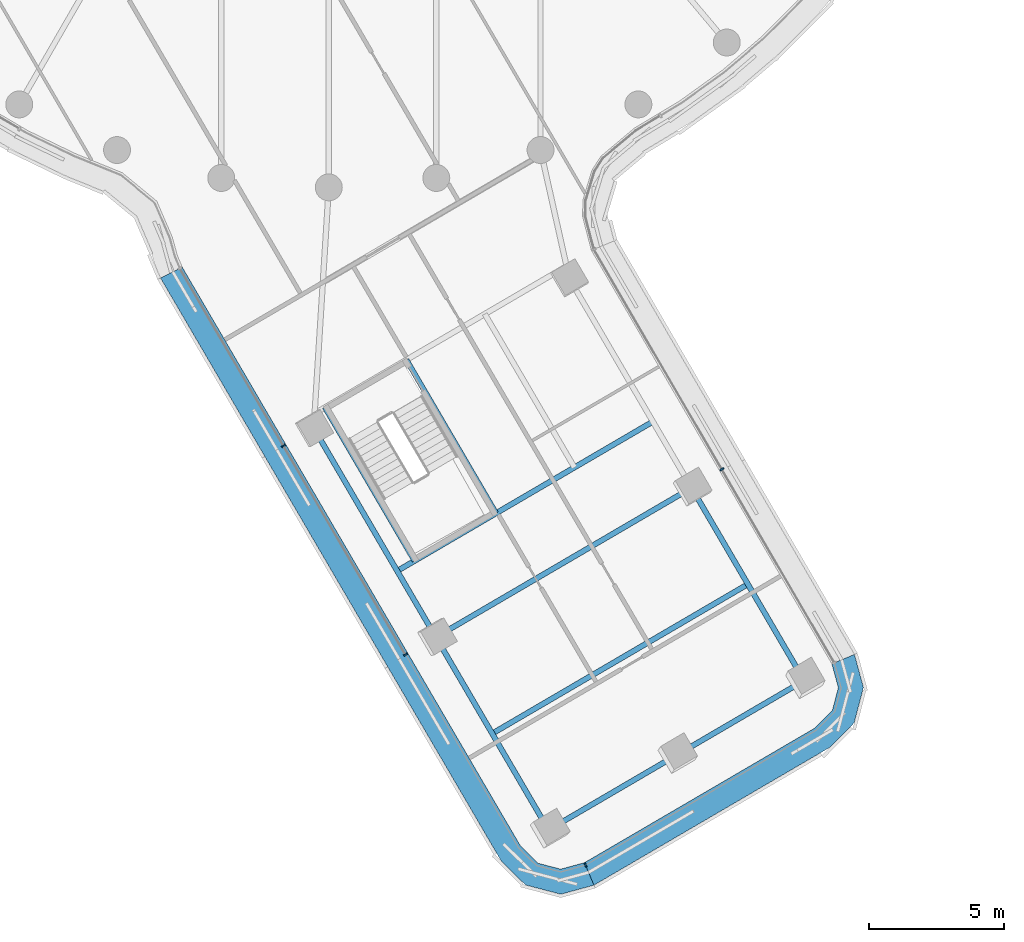
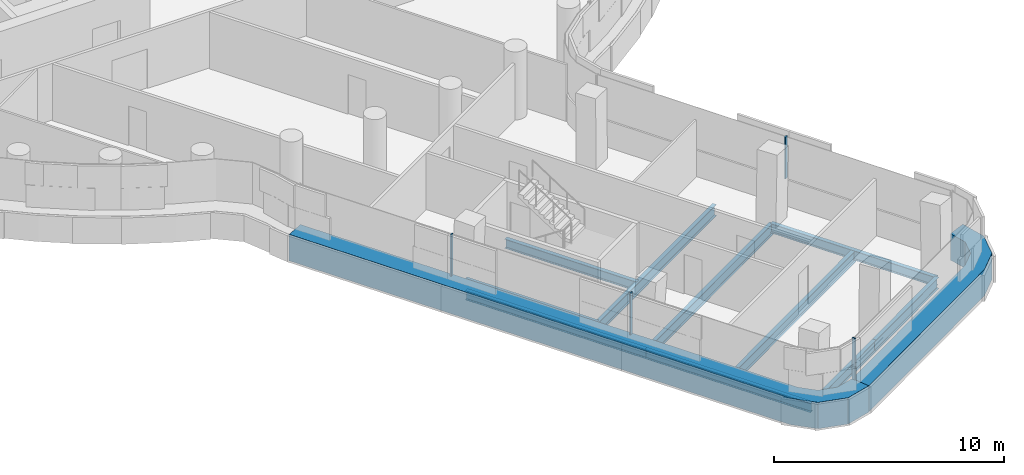
# One storey, part 3 of 35: 10 beams, 6 members, 3 elements without a shape of their own.
"""IFC4 building model written with IfcOpenShell, lengths in metres."""

import ifcopenshell
import ifcopenshell.guid

model = None  # the IFC model being written
_history = None  # IfcOwnerHistory: only IFC2X3 demands one
_inside = {}  # id of a spatial element -> (the spatial element, [elements in it])
_under = {}  # id of a project, library or spatial element -> (it, [spatial elements below it])
_declared = {}  # id of a project -> (the project, [libraries it declares])
_typed = {}  # id of a type object -> (the type object, [elements of that type])
_made_of = {}  # id of a material, layer set ... -> (it, [elements and type objects made of it])


def new_model(schema):
    """Start an empty IFC model of exactly this schema.

    Asked for "IFC4X3", IfcOpenShell would pick the latest addendum, in which some entities
    have other attributes; the version numbers below select the first issue.
    IFC2X3 requires an IfcOwnerHistory on every rooted entity: one is made here for all.
    """
    global model, _history
    if schema == "IFC4X3":
        model = ifcopenshell.file(schema_version=(4, 3, 0, 0))
    else:
        model = ifcopenshell.file(schema=schema)
    _inside.clear()
    _under.clear()
    _declared.clear()
    _typed.clear()
    _made_of.clear()
    _history = None
    if model.schema == "IFC2X3":
        org = make("IfcOrganization", Name="unknown")
        user = make(
            "IfcPersonAndOrganization",
            ThePerson=make("IfcPerson", FamilyName="unknown"),
            TheOrganization=org,
        )
        app = make(
            "IfcApplication",
            ApplicationDeveloper=org,
            Version="unknown",
            ApplicationFullName="unknown",
            ApplicationIdentifier="unknown",
        )
        _history = make(
            "IfcOwnerHistory",
            OwningUser=user,
            OwningApplication=app,
            ChangeAction="ADDED",
            CreationDate=0,
        )
    return model


def make(cls, **values):
    """One entity of the class cls with the attributes given. An attribute that is None is left unset."""
    return model.create_entity(
        cls, **{name: value for name, value in values.items() if value is not None}
    )


def rooted(cls, **values):
    """An entity with a GlobalId (a new one), such as an element, a storey or a relation."""
    return make(cls, GlobalId=ifcopenshell.guid.new(), OwnerHistory=_history, **values)


def si_unit(unit_type, name, prefix=None):
    """IfcSIUnit, for example si_unit("LENGTHUNIT", "METRE", prefix="MILLI")."""
    return make("IfcSIUnit", UnitType=unit_type, Prefix=prefix, Name=name)


def assignment(units):
    """IfcUnitAssignment: the units of a project."""
    return None if units is None else make("IfcUnitAssignment", Units=units)


def point(xyz):
    """IfcCartesianPoint."""
    return None if xyz is None else make("IfcCartesianPoint", Coordinates=xyz)


def direction(xyz):
    """IfcDirection."""
    return None if xyz is None else make("IfcDirection", DirectionRatios=xyz)


def frame(location, z_axis=None, x_axis=None):
    """IfcAxis2Placement3D, a coordinate frame: its origin and axes. An axis left out is left unset."""
    return make(
        "IfcAxis2Placement3D",
        Location=point(location),
        Axis=direction(z_axis),
        RefDirection=direction(x_axis),
    )


def frame_2d(location, x_axis=None):
    """IfcAxis2Placement2D, a coordinate frame in the plane: its origin and x axis."""
    return make(
        "IfcAxis2Placement2D", Location=point(location), RefDirection=direction(x_axis)
    )


def origin():
    """The frame at (0, 0, 0) with its axes left unset."""
    return frame((0.0, 0.0, 0.0))


def origin_2d():
    """The frame at (0, 0) in the plane with its x axis left unset."""
    return frame_2d((0.0, 0.0))


def place(relative_to, where):
    """IfcLocalPlacement: puts the frame where relative to a parent placement (None: the world)."""
    return make(
        "IfcLocalPlacement", PlacementRelTo=relative_to, RelativePlacement=where
    )


def context(
    kind, dimensions, precision=None, world=None, true_north=None, identifier=None
):
    """IfcGeometricRepresentationContext, for example the 3D "Model" context."""
    return make(
        "IfcGeometricRepresentationContext",
        ContextIdentifier=identifier,
        ContextType=kind,
        CoordinateSpaceDimension=dimensions,
        Precision=precision,
        WorldCoordinateSystem=world,
        TrueNorth=true_north,
    )


def subcontext(parent, identifier, kind, view, scale=None):
    """IfcGeometricRepresentationSubContext, for example "Body" below "Model"."""
    return make(
        "IfcGeometricRepresentationSubContext",
        ContextIdentifier=identifier,
        ContextType=kind,
        ParentContext=parent,
        TargetScale=scale,
        TargetView=view,
    )


def project(units=None, contexts=None):
    """IfcProject with its units and contexts."""
    return rooted(
        "IfcProject",
        Name="project",
        RepresentationContexts=contexts,
        UnitsInContext=assignment(units),
    )


def spatial(cls, under=None, at=None, **own):
    """A site, building, storey or space (cls), placed at a placement, below another one or the project."""
    s = rooted(cls, ObjectPlacement=at, **own)
    if under is not None:
        _under.setdefault(under.id(), (under, []))[1].append(s)
    return s


def polyline(points):
    """IfcPolyline through the points."""
    return make("IfcPolyline", Points=[point(p) for p in points])


def profile(cls, at=None, kind="AREA", **sizes):
    """A parametric profile (cls). Its sizes go by their IFC names, for example OverallWidth=200.0."""
    return make(cls, ProfileType=kind, Position=at, **sizes)


def rectangle(**sizes):
    """IfcRectangleProfileDef."""
    return profile("IfcRectangleProfileDef", **sizes)


def i_section(**sizes):
    """IfcIShapeProfileDef."""
    return profile("IfcIShapeProfileDef", **sizes)


def outline(outer, holes=None, kind="AREA"):
    """IfcArbitraryClosedProfileDef: a profile drawn as a closed curve; with holes, ...WithVoids."""
    if holes is None:
        return make("IfcArbitraryClosedProfileDef", ProfileType=kind, OuterCurve=outer)
    return make(
        "IfcArbitraryProfileDefWithVoids",
        ProfileType=kind,
        OuterCurve=outer,
        InnerCurves=holes,
    )


def extrude(swept, where, along, depth):
    """IfcExtrudedAreaSolid: the profile swept, set in the frame where, extruded along a direction by depth."""
    return make(
        "IfcExtrudedAreaSolid",
        SweptArea=swept,
        Position=where,
        ExtrudedDirection=direction(along),
        Depth=depth,
    )


def shape(context_of_items, identifier, shape_type, items):
    """IfcShapeRepresentation: the items that make up one representation, for example the "Body"."""
    return make(
        "IfcShapeRepresentation",
        ContextOfItems=context_of_items,
        RepresentationIdentifier=identifier,
        RepresentationType=shape_type,
        Items=items,
    )


def material(Name=None, Category=None):
    """IfcMaterial."""
    return make("IfcMaterial", Name=Name, Category=Category)


def layer(
    of_material, thickness, ventilated=None, Name=None, Category=None, Priority=None
):
    """IfcMaterialLayer: one layer of a wall or slab, of a material (None: an air gap)."""
    return make(
        "IfcMaterialLayer",
        Material=of_material,
        LayerThickness=thickness,
        IsVentilated=ventilated,
        Name=Name,
        Category=Category,
        Priority=Priority,
    )


def layer_set(layers, Name=None):
    """IfcMaterialLayerSet."""
    return make("IfcMaterialLayerSet", MaterialLayers=layers, LayerSetName=Name)


def material_profile(
    of_material, cross_section, Name=None, Category=None, Priority=None
):
    """IfcMaterialProfile: a cross section and its material."""
    return make(
        "IfcMaterialProfile",
        Name=Name,
        Material=of_material,
        Profile=cross_section,
        Priority=Priority,
        Category=Category,
    )


def profile_set(profiles, Name=None, composite=None):
    """IfcMaterialProfileSet."""
    return make(
        "IfcMaterialProfileSet",
        Name=Name,
        MaterialProfiles=profiles,
        CompositeProfile=composite,
    )


def made_of(thing, what):
    """Note that an element or type object is made of a material, layer set ...; save() writes the relation."""
    if what is not None:
        _made_of.setdefault(what.id(), (what, []))[1].append(thing)
    return thing


def type_object(cls, material=None, **own):
    """A type object (cls), such as IfcWallType, which elements share."""
    return made_of(rooted(cls, **own), material)


def element(
    cls,
    number,
    at=None,
    inside=None,
    cuts=None,
    type_object=None,
    material=None,
    context=None,
    identifier="Body",
    shape_type=None,
    held_by="IfcProductDefinitionShape",
    body=None,
    shapes=None,
    **own,
):
    """One element of the class cls, such as IfcWall. Its Tag is "e" and its number.

    at: its placement. inside: the storey or other place that contains it. cuts: it is an
    opening in that element (IfcRelVoidsElement). A single representation is given by context,
    identifier, shape_type and body (its items); several are given by shapes. held_by: the class
    of the entity that holds the representations. save() writes the other relations.
    """
    e = rooted(cls, Tag="e%d" % number, ObjectPlacement=at, **own)
    if body is not None:
        shapes = [shape(context, identifier, shape_type, body)]
    if shapes is not None:
        e.Representation = make(held_by, Representations=shapes)
    if inside is not None:
        _inside.setdefault(inside.id(), (inside, []))[1].append(e)
    if cuts is not None:
        rooted(
            "IfcRelVoidsElement", RelatingBuildingElement=cuts, RelatedOpeningElement=e
        )
    if type_object is not None:
        _typed.setdefault(type_object.id(), (type_object, []))[1].append(e)
    return made_of(e, material)


def aggregate(whole, parts):
    """IfcRelAggregates: a whole, such as a stair, and the parts it consists of."""
    return rooted("IfcRelAggregates", RelatingObject=whole, RelatedObjects=parts)


def save(model, path):
    """Write the relations noted so far, then the file.

    IfcRelAggregates (storeys below a building ...), IfcRelContainedInSpatialStructure (elements
    in a storey), IfcRelDefinesByType, IfcRelAssociatesMaterial and IfcRelDeclares: one each for
    every whole, place, type object, material and project.
    """
    for whole, parts in _under.values():
        aggregate(whole, parts)
    for where, things in _inside.values():
        rooted(
            "IfcRelContainedInSpatialStructure",
            RelatedElements=things,
            RelatingStructure=where,
        )
    for kind, things in _typed.values():
        rooted("IfcRelDefinesByType", RelatedObjects=things, RelatingType=kind)
    for what, things in _made_of.values():
        rooted("IfcRelAssociatesMaterial", RelatedObjects=things, RelatingMaterial=what)
    for by, libraries in _declared.values():
        rooted("IfcRelDeclares", RelatingContext=by, RelatedDefinitions=libraries)
    model.write(path)


model = new_model("IFC4")

# Units and contexts
model_context = context("Model", 3, precision=1e-05, world=origin(), true_north=direction((0.0, 1.0)))
body_context = subcontext(model_context, "Body", "Model", "MODEL_VIEW")
ifc_project = project(units=[si_unit("LENGTHUNIT", "METRE"), si_unit("AREAUNIT", "SQUARE_METRE"), si_unit("VOLUMEUNIT", "CUBIC_METRE"), si_unit("PLANEANGLEUNIT", "RADIAN"), si_unit("MASSUNIT", "GRAM", prefix="KILO")], contexts=[model_context])

# Site, building, storey
site_placement = place(None, origin())
site = spatial("IfcSite", under=ifc_project, at=site_placement, CompositionType="ELEMENT")
building_placement = place(site_placement, origin())
building = spatial("IfcBuilding", under=site, at=building_placement, Name="Tamarind Cross Interchange Tower", CompositionType="ELEMENT")
storey_placement = place(building_placement, frame((0.0, 0.0, 144.25)))
storey = spatial("IfcBuildingStorey", under=building, at=storey_placement, Name="L35", CompositionType="ELEMENT", Elevation=144.25)

# Beams
ifc_material_1 = material(Name="Steel Q355B", Category="steel")
ifc_material_profile_1 = material_profile(ifc_material_1, i_section(OverallWidth=0.198974609375, OverallDepth=0.49609375, WebThickness=0.009033203125, FlangeThickness=0.013916015625, FilletRadius=0.012939453125, at=origin_2d()), Name="HN 496x199x9x14")
ifc_profile_set_1 = profile_set([ifc_material_profile_1], Name="Steel Q355B")
beam_type_1 = type_object("IfcBeamType", Name="Composite beam HN 496x199x9x14 Q355B", PredefinedType="BEAM", material=ifc_profile_set_1)
beam_1_placement = place(storey_placement, frame((8.162841796875, -46.870849609375, -0.387939453125), z_axis=(-0.504515287222, 0.863402759411, 0.0), x_axis=(-0.863402759411, -0.504515287222, 0.0)))
element("IfcBeam", 1, at=beam_1_placement, inside=storey, type_object=beam_type_1, Name="Beam S-edgeem5", PredefinedType="BEAM", context=body_context, shape_type="SweptSolid", body=[
    extrude(i_section(OverallWidth=0.198974609375, OverallDepth=0.49609375, WebThickness=0.009033203125, FlangeThickness=0.013916015625, FilletRadius=0.012939453125, at=origin_2d()), origin(), (0.0, 0.0, 1.0), 8.291748046875),
])
beam_2_placement = place(storey_placement, frame((3.9794921875, -39.711669921875, -0.387939453125), z_axis=(-0.504532041864, 0.863392968893, 0.0), x_axis=(-0.863392968893, -0.504532041864, 0.0)))
element("IfcBeam", 2, at=beam_2_placement, inside=storey, type_object=beam_type_1, Name="Beam S-edgeem6", PredefinedType="BEAM", context=body_context, shape_type="SweptSolid", body=[
    extrude(i_section(OverallWidth=0.198974609375, OverallDepth=0.49609375, WebThickness=0.009033203125, FlangeThickness=0.013916015625, FilletRadius=0.012939453125, at=origin_2d()), origin(), (0.0, 0.0, 1.0), 9.0),
])
beam_3_placement = place(storey_placement, frame((17.66015625, -41.3212890625, -0.387939453125), z_axis=(-0.504515287222, 0.863402759411, 0.0), x_axis=(-0.863402759411, -0.504515287222, 0.0)))
element("IfcBeam", 3, at=beam_3_placement, inside=storey, type_object=beam_type_1, Name="Beam S-edgeep2", PredefinedType="BEAM", context=body_context, shape_type="SweptSolid", body=[
    extrude(i_section(OverallWidth=0.198974609375, OverallDepth=0.49609375, WebThickness=0.009033203125, FlangeThickness=0.013916015625, FilletRadius=0.012939453125, at=origin_2d()), origin(), (0.0, 0.0, 1.0), 8.291748046875),
])
for number, where, z_axis, x_axis, name in (
    (4, (-0.140625, -31.174072265625, -0.387939453125), (0.504517168894, -0.863401659884, 0.0), (0.863401659884, 0.504517168894, 0.0), "Beam S-tr0"),
    (5, (2.881103515625, -29.408447265625, -0.387939453125), (0.504517168894, -0.863401659884, 0.0), (0.863401659884, 0.504517168894, 0.0), "Beam S-tr1"),
):
    element("IfcBeam", number, at=place(storey_placement, frame(where, z_axis=z_axis, x_axis=x_axis)), inside=storey, type_object=beam_type_1, Name=name, PredefinedType="BEAM", context=body_context, shape_type="SweptSolid", body=[
        extrude(i_section(OverallWidth=0.198974609375, OverallDepth=0.49609375, WebThickness=0.009033203125, FlangeThickness=0.013916015625, FilletRadius=0.012939453125, at=origin_2d()), origin(), (0.0, 0.0, 1.0), 6.60009765625),
    ])
ifc_material_profile_2 = material_profile(ifc_material_1, i_section(OverallWidth=0.199951171875, OverallDepth=0.60009765625, WebThickness=0.010986328125, FlangeThickness=0.01708984375, FilletRadius=0.012939453125, at=origin_2d()), Name="HN 600x200x11x17")
ifc_profile_set_2 = profile_set([ifc_material_profile_2], Name="Steel Q355B")
beam_type_2 = type_object("IfcBeamType", Name="Composite beam HN 600x200x11x17 Q355B", PredefinedType="BEAM", material=ifc_profile_set_2)
for number, where, z_axis, x_axis, name in (
    (6, (8.162841796875, -46.870849609375, -0.43994140625), (0.863389021072, 0.504538797609, 0.0), (-0.504538797609, 0.863389021072, 0.0), "Beam S-tip0"),
    (7, (12.911376953125, -44.095947265625, -0.43994140625), (0.863419655881, 0.50448637032, 0.0), (-0.50448637032, 0.863419655881, 0.0), "Beam S-tip1"),
):
    element("IfcBeam", number, at=place(storey_placement, frame(where, z_axis=z_axis, x_axis=x_axis)), inside=storey, type_object=beam_type_2, Name=name, PredefinedType="BEAM", context=body_context, shape_type="SweptSolid", body=[
        extrude(i_section(OverallWidth=0.199951171875, OverallDepth=0.60009765625, WebThickness=0.010986328125, FlangeThickness=0.01708984375, FilletRadius=0.012939453125, at=origin_2d()), origin(), (0.0, 0.0, 1.0), 5.5),
    ])
beam_4_placement = place(storey_placement, frame((2.54150390625, -37.2509765625, -0.43994140625), z_axis=(0.863409988171, 0.504502916074, 0.0), x_axis=(-0.504502916074, 0.863409988171, 0.0)))
element("IfcBeam", 8, at=beam_4_placement, inside=storey, type_object=beam_type_2, Name="Beam S-x364", PredefinedType="BEAM", context=body_context, shape_type="SweptSolid", body=[
    extrude(i_section(OverallWidth=0.199951171875, OverallDepth=0.60009765625, WebThickness=0.010986328125, FlangeThickness=0.01708984375, FilletRadius=0.012939453125, at=origin_2d()), origin(), (0.0, 0.0, 1.0), 11.0),
])
beam_5_placement = place(storey_placement, frame((3.9794921875, -39.711669921875, -0.43994140625), z_axis=(0.863404338996, 0.504512583988, 0.0), x_axis=(-0.504512583988, 0.863404338996, 0.0)))
element("IfcBeam", 9, at=beam_5_placement, inside=storey, type_object=beam_type_2, Name="Beam S-x393", PredefinedType="BEAM", context=body_context, shape_type="SweptSolid", body=[
    extrude(i_section(OverallWidth=0.199951171875, OverallDepth=0.60009765625, WebThickness=0.010986328125, FlangeThickness=0.01708984375, FilletRadius=0.012939453125, at=origin_2d()), origin(), (0.0, 0.0, 1.0), 10.999755859375),
])
beam_6_placement = place(storey_placement, frame((6.071044921875, -43.291259765625, -0.43994140625), z_axis=(0.863409988171, 0.504502916074, 0.0), x_axis=(-0.504502916074, 0.863409988171, 0.0)))
element("IfcBeam", 10, at=beam_6_placement, inside=storey, type_object=beam_type_2, Name="Beam S-x434", PredefinedType="BEAM", context=body_context, shape_type="SweptSolid", body=[
    extrude(i_section(OverallWidth=0.199951171875, OverallDepth=0.60009765625, WebThickness=0.010986328125, FlangeThickness=0.01708984375, FilletRadius=0.012939453125, at=origin_2d()), origin(), (0.0, 0.0, 1.0), 11.0),
])

# Curtain wall, member
ifc_material_2 = material(Name="Aluminium 6063-T6", Category="aluminium")
ifc_layer = layer(ifc_material_2, 0.159912109375)
ifc_layer_set = layer_set([ifc_layer], Name="Aluminium 6063-T6")
curtain_wall_type = type_object("IfcCurtainWallType", Name="Office curtain wall, 9.0 m bays", PredefinedType="NOTDEFINED", material=ifc_layer_set)
curtain_wall_1_placement = place(storey_placement, origin())
curtain_wall_1 = element("IfcCurtainWall", 11, at=curtain_wall_1_placement, inside=storey, type_object=curtain_wall_type, Name="CWS-L35-03", PredefinedType="NOTDEFINED")
ifc_material_3 = material(Name="Aluminium and insulated spandrel panel", Category="aluminium")
member_type_1 = type_object("IfcMemberType", Name="Floor-edge blade transom", PredefinedType="USERDEFINED", material=ifc_material_3)
member_1_placement = place(storey_placement, origin())
member_1 = element("IfcMember", 12, at=member_1_placement, type_object=member_type_1, Name="CWT-L35-03", ObjectType="TRANSOM", PredefinedType="USERDEFINED", context=body_context, shape_type="SweptSolid", body=[
    extrude(outline(polyline([(-5.44287109375, -25.965576171875), (7.1181640625, -47.461669921875), (7.768798828125, -48.10546875), (8.614501953125, -48.327392578125), (9.49755859375, -48.0859375), (9.849365234375, -48.9228515625), (8.619384765625, -49.25927734375), (7.30712890625, -48.914794921875), (6.40087890625, -48.01806640625), (-6.24951171875, -26.36865234375), (-5.44287109375, -25.965576171875)])), origin(), (0.0, 0.0, 1.0), 1.39990234375),
])

curtain_wall_2_placement = place(storey_placement, origin())
curtain_wall_2 = element("IfcCurtainWall", 13, at=curtain_wall_2_placement, inside=storey, type_object=curtain_wall_type, Name="CWS-L35-04", PredefinedType="NOTDEFINED")
member_2_placement = place(storey_placement, origin())
member_2 = element("IfcMember", 14, at=member_2_placement, type_object=member_type_1, Name="CWT-L35-04", ObjectType="TRANSOM", PredefinedType="USERDEFINED", context=body_context, shape_type="SweptSolid", body=[
    extrude(outline(polyline([(9.49755859375, -48.0859375), (18.0634765625, -43.08056640625), (18.707275390625, -42.429931640625), (18.92919921875, -41.583984375), (18.6875, -40.70068359375), (19.524658203125, -40.349853515625), (19.86083984375, -41.5791015625), (19.5166015625, -42.8916015625), (18.619873046875, -43.7978515625), (9.849365234375, -48.9228515625), (9.49755859375, -48.0859375)])), origin(), (0.0, 0.0, 1.0), 1.39990234375),
])

# Member
ifc_material_profile_3 = material_profile(ifc_material_2, rectangle(XDim=0.06005859375, YDim=0.159912109375, at=origin_2d()), Name="Mullion CW1")
ifc_profile_set_3 = profile_set([ifc_material_profile_3], Name="Aluminium 6063-T6")
member_type_2 = type_object("IfcMemberType", Name="Mullion CW1", PredefinedType="MULLION", material=ifc_profile_set_3)
member_3_placement = place(storey_placement, frame((-1.68310546875, -32.597900390625, 1.39990234375), z_axis=(0.0, 0.0, 1.0), x_axis=(0.50451556849, -0.863402595057, 0.0)))
member_3 = element("IfcMember", 15, at=member_3_placement, type_object=member_type_2, Name="CWM-L35-03-01", PredefinedType="MULLION", context=body_context, shape_type="SweptSolid", body=[
    extrude(rectangle(XDim=0.06005859375, YDim=0.159912109375, at=origin_2d()), origin(), (0.0, 0.0, 1.0), 2.210205078125),
])

member_4_placement = place(storey_placement, frame((2.850341796875, -40.356201171875, 1.39990234375), z_axis=(0.0, 0.0, 1.0), x_axis=(0.50451556849, -0.863402595057, 0.0)))
member_4 = element("IfcMember", 16, at=member_4_placement, type_object=member_type_2, Name="CWM-L35-03-02", PredefinedType="MULLION", context=body_context, shape_type="SweptSolid", body=[
    extrude(rectangle(XDim=0.06005859375, YDim=0.159912109375, at=origin_2d()), origin(), (0.0, 0.0, 1.0), 2.210205078125),
])

aggregate(curtain_wall_1, [member_3, member_4, member_1])

member_5_placement = place(storey_placement, frame((9.53662109375, -48.178955078125, 1.39990234375), z_axis=(0.0, 0.0, 1.0), x_axis=(0.921868562237, 0.387502714777, 0.0)))
member_5 = element("IfcMember", 17, at=member_5_placement, type_object=member_type_2, Name="CWM-L35-04-00", PredefinedType="MULLION", context=body_context, shape_type="SweptSolid", body=[
    extrude(rectangle(XDim=0.06005859375, YDim=0.159912109375, at=origin_2d()), origin(), (0.0, 0.0, 1.0), 2.210205078125),
])

aggregate(curtain_wall_2, [member_5, member_2])

# Curtain wall, member
curtain_wall_3_placement = place(storey_placement, origin())
curtain_wall_3 = element("IfcCurtainWall", 18, at=curtain_wall_3_placement, inside=storey, type_object=curtain_wall_type, Name="CWS-L35-05", PredefinedType="NOTDEFINED")
member_6_placement = place(storey_placement, frame((14.6005859375, -33.473876953125, 1.39990234375), z_axis=(0.0, 0.0, 1.0), x_axis=(-0.502708433946, 0.864456031525, 0.0)))
member_6 = element("IfcMember", 19, at=member_6_placement, type_object=member_type_2, Name="CWM-L35-05-01", PredefinedType="MULLION", context=body_context, shape_type="SweptSolid", body=[
    extrude(rectangle(XDim=0.06005859375, YDim=0.159912109375, at=origin_2d()), origin(), (0.0, 0.0, 1.0), 2.210205078125),
])
aggregate(curtain_wall_3, [member_6])

save(model, "model.ifc")
